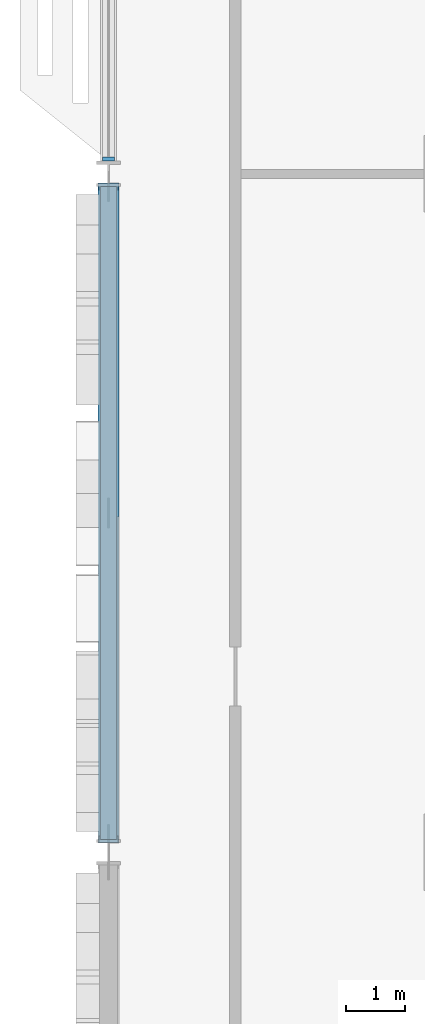
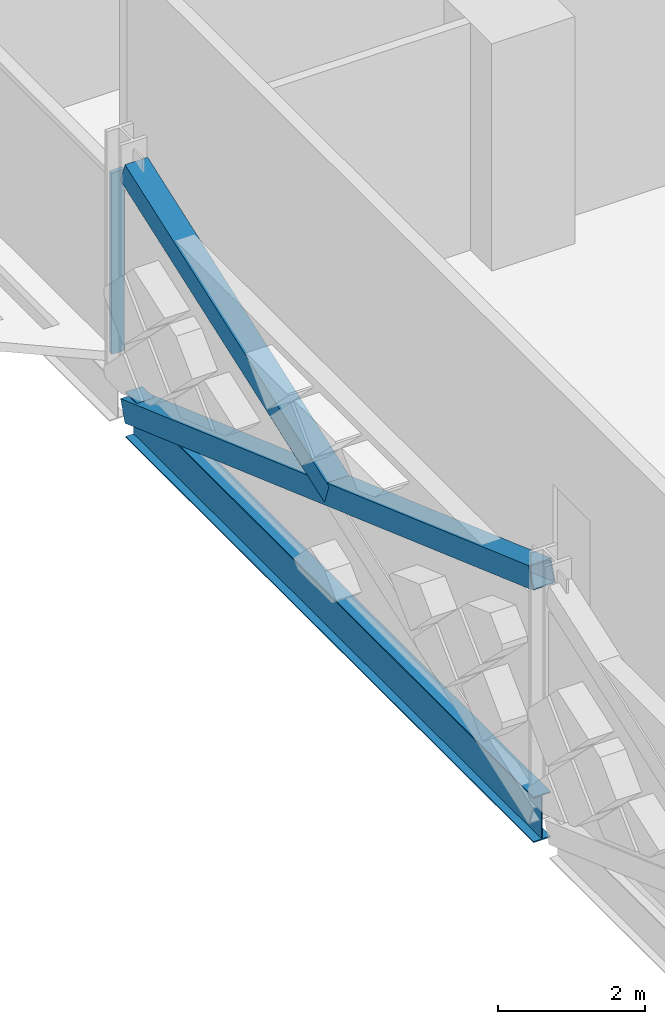
# One storey, part 4 of 28: 3 members, 1 beam, 1 element without a shape of its own.
"""IFC4 building model written with IfcOpenShell, lengths in metres."""

from ifc_helpers import new_model, si_unit, direction, frame, origin, origin_2d, place, context, subcontext, project, spatial, rectangle, hollow_rectangle, i_section, extrude, material, material_profile, profile_set, type_object, element, aggregate, save


model = new_model("IFC4")

# Units and contexts
model_context = context("Model", 3, precision=1e-05, world=origin(), true_north=direction((0.0, 1.0)))
body_context = subcontext(model_context, "Body", "Model", "MODEL_VIEW")
ifc_project = project(units=[si_unit("LENGTHUNIT", "METRE"), si_unit("AREAUNIT", "SQUARE_METRE"), si_unit("VOLUMEUNIT", "CUBIC_METRE"), si_unit("PLANEANGLEUNIT", "RADIAN"), si_unit("MASSUNIT", "GRAM", prefix="KILO")], contexts=[model_context])

# Site, building, storey
site_placement = place(None, origin())
site = spatial("IfcSite", under=ifc_project, at=site_placement, CompositionType="ELEMENT")
building_placement = place(site_placement, origin())
building = spatial("IfcBuilding", under=site, at=building_placement, Name="Mahtab Terrace Research Tower", CompositionType="ELEMENT")
storey_placement = place(building_placement, frame((0.0, 0.0, 134.300048828125)))
storey = spatial("IfcBuildingStorey", under=building, at=storey_placement, Name="L31", CompositionType="ELEMENT", Elevation=134.300048828125)

# Members
ifc_material_1 = material(Name="Steel ASTM A500 Gr C", Category="steel")
ifc_material_profile_1 = material_profile(ifc_material_1, hollow_rectangle(XDim=0.355712890625, YDim=0.355712890625, WallThickness=0.01904296875, at=origin_2d()), Name="HSS14X14X3/4")
ifc_profile_set_1 = profile_set([ifc_material_profile_1], Name="Steel ASTM A500 Gr C")
member_type_1 = type_object("IfcMemberType", Name="HSS 14x14x3/4 brace XB141434", PredefinedType="BRACE", material=ifc_profile_set_1)
member_1_placement = place(storey_placement, frame((-48.0, 11.282958984375, -0.64111328125), z_axis=(0.0, -0.941925134484, 0.335822931061), x_axis=(1.0, 0.0, 0.0)))
element("IfcMember", 1, at=member_1_placement, inside=storey, type_object=member_type_1, Name="Exoskeleton brace L31 11 a", PredefinedType="BRACE", context=body_context, shape_type="SweptSolid", body=[
    extrude(hollow_rectangle(XDim=0.355712890625, YDim=0.355712890625, WallThickness=0.01904296875, at=origin_2d()), origin(), (0.0, 0.0, 1.0), 11.748291015625),
])
member_2_placement = place(storey_placement, frame((-48.0, 5.75, 1.33154296875), z_axis=(0.0, 0.941925134484, 0.335822931061), x_axis=(-1.0, 0.0, 0.0)))
element("IfcMember", 2, at=member_2_placement, inside=storey, type_object=member_type_1, Name="Exoskeleton brace L31 11 b2", PredefinedType="BRACE", context=body_context, shape_type="SweptSolid", body=[
    extrude(hollow_rectangle(XDim=0.355712890625, YDim=0.355712890625, WallThickness=0.01904296875, at=origin_2d()), origin(), (0.0, 0.0, 1.0), 5.8740234375),
])

# Curtain wall, member
ifc_material_2 = material(Name="Laboratory ribbon curtain wall")
curtain_wall_type = type_object("IfcCurtainWallType", Name="Laboratory ribbon curtain wall", PredefinedType="NOTDEFINED", material=ifc_material_2)
curtain_wall_placement = place(storey_placement, origin())
curtain_wall = element("IfcCurtainWall", 3, at=curtain_wall_placement, inside=storey, type_object=curtain_wall_type, Name="EN.L31.8.16", PredefinedType="NOTDEFINED")
ifc_material_3 = material(Name="Natural anodised aluminium", Category="aluminium")
ifc_material_profile_2 = material_profile(ifc_material_3, rectangle(XDim=0.199951171875, YDim=0.06494140625, at=origin_2d()), Name="MULLION 65x200")
ifc_profile_set_2 = profile_set([ifc_material_profile_2], Name="Natural anodised aluminium")
member_type_2 = type_object("IfcMemberType", Name="Laboratory ribbon curtain wall mullion", PredefinedType="MULLION", material=ifc_profile_set_2)
member_3_placement = place(storey_placement, frame((-48.0, 11.75048828125, 0.0), z_axis=(0.0, 0.0, 1.0), x_axis=(1.0, 0.0, 0.0)))
member_3 = element("IfcMember", 4, at=member_3_placement, type_object=member_type_2, Name="CWL-4 mullion 2", PredefinedType="MULLION", context=body_context, shape_type="SweptSolid", body=[
    extrude(rectangle(XDim=0.199951171875, YDim=0.06494140625, at=origin_2d()), origin(), (0.0, 0.0, 1.0), 3.0029296875),
])
aggregate(curtain_wall, [member_3])

# Beam
ifc_material_4 = material(Name="Steel ASTM A992 Gr 50", Category="steel")
ifc_material_profile_3 = material_profile(ifc_material_4, i_section(OverallWidth=0.2666015625, OverallDepth=0.7568359375, WebThickness=0.013916015625, FlangeThickness=0.019287109375, at=origin_2d()), Name="W30X108")
ifc_profile_set_3 = profile_set([ifc_material_profile_3], Name="Steel ASTM A992 Gr 50")
beam_type = type_object("IfcBeamType", Name="W30x108 beam BS30108", PredefinedType="BEAM", material=ifc_profile_set_3)
beam_placement = place(storey_placement, frame((-48.0, 11.282958984375, -0.718505859375), z_axis=(0.0, -1.0, 0.0), x_axis=(1.0, 0.0, 0.0)))
element("IfcBeam", 5, at=beam_placement, inside=storey, type_object=beam_type, Name="Spandrel beam L31 11", PredefinedType="BEAM", context=body_context, shape_type="SweptSolid", body=[
    extrude(i_section(OverallWidth=0.2666015625, OverallDepth=0.7568359375, WebThickness=0.013916015625, FlangeThickness=0.019287109375, at=origin_2d()), origin(), (0.0, 0.0, 1.0), 11.06591796875),
])

save(model, "model.ifc")
